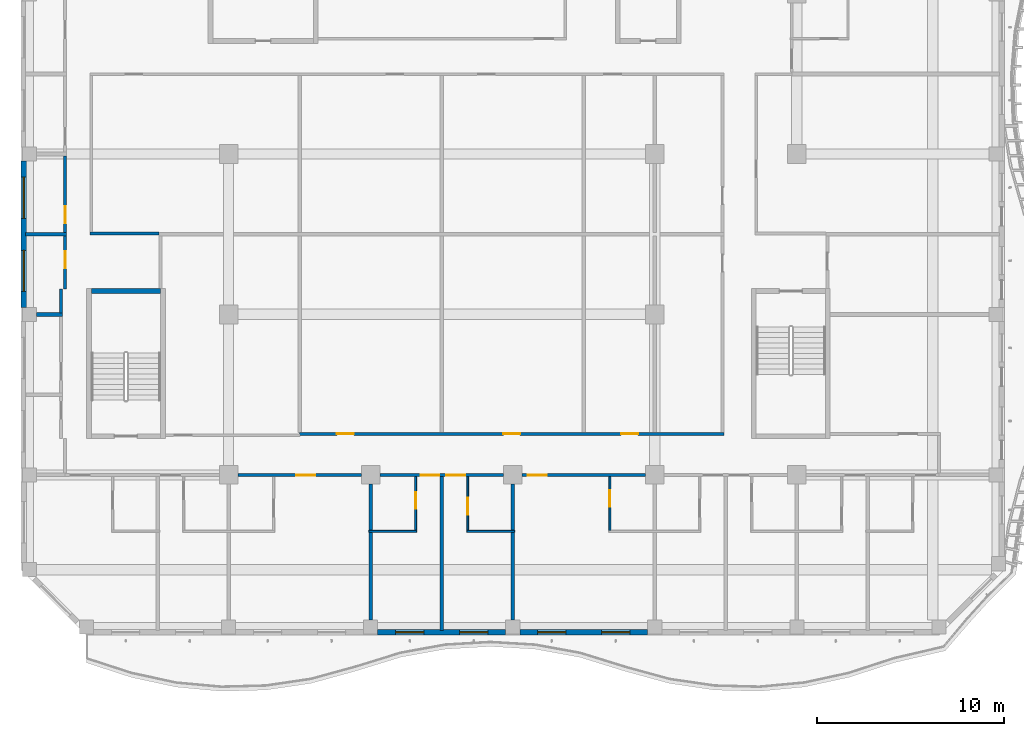
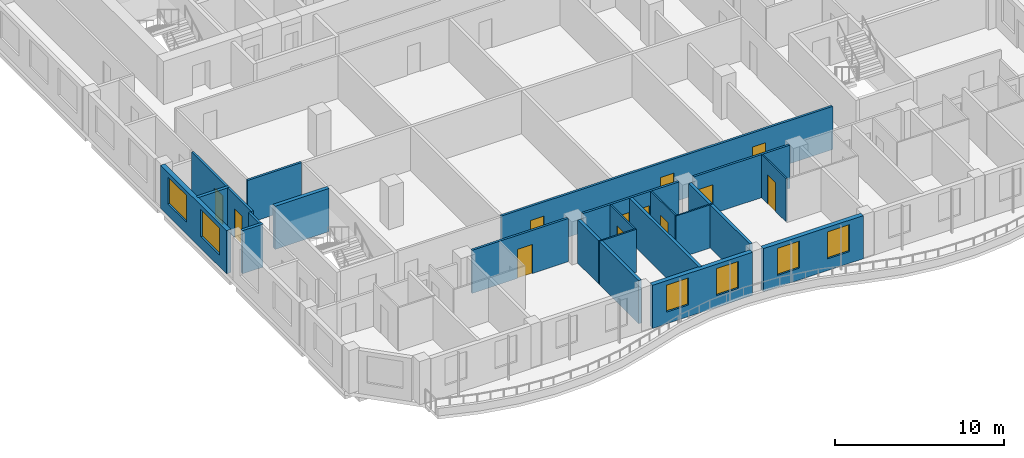
# One storey, part 3 of 22: 24 walls, 12 doors, 6 windows, 18 openings.
"""IFC4 building model written with IfcOpenShell, lengths in metres."""

from ifc_helpers import new_model, si_unit, direction, frame, frame_2d, origin, place, context, subcontext, project, spatial, rectangle, extrude, source, transform, mapped, material, layer, layer_set, type_object, element, fill, save


model = new_model("IFC4")

# Units and contexts
model_context = context("Model", 3, precision=1e-05, world=origin(), true_north=direction((0.0, 1.0)))
body_context = subcontext(model_context, "Body", "Model", "MODEL_VIEW")
ifc_project = project(units=[si_unit("LENGTHUNIT", "METRE"), si_unit("AREAUNIT", "SQUARE_METRE"), si_unit("VOLUMEUNIT", "CUBIC_METRE"), si_unit("PLANEANGLEUNIT", "RADIAN"), si_unit("MASSUNIT", "GRAM", prefix="KILO")], contexts=[model_context])

# Site, building, storey
site_placement = place(None, origin())
site = spatial("IfcSite", under=ifc_project, at=site_placement, CompositionType="ELEMENT")
building_placement = place(site_placement, origin())
building = spatial("IfcBuilding", under=site, at=building_placement, Name="Kilnfold Tower and Market Hall", CompositionType="ELEMENT")
storey_placement = place(building_placement, frame((0.0, 0.0, 213.5)))
storey = spatial("IfcBuildingStorey", under=building, at=storey_placement, Name="L52", CompositionType="ELEMENT", Elevation=213.5)

# Wall, opening, door
ifc_material_1 = material(Name="Gypsum board on steel studs", Category="steel")
ifc_layer_1 = layer(ifc_material_1, 0.14990234375)
ifc_layer_set_1 = layer_set([ifc_layer_1], Name="Gypsum board on steel studs")
wall_type_1 = type_object("IfcWallType", Name="WALL CORRIDOR 150", PredefinedType="PARTITIONING", material=ifc_layer_set_1)
wall_1_placement = place(storey_placement, frame((-9.6669921875, -17.699951171875, 0.0), z_axis=(0.0, 0.0, 1.0), x_axis=(1.0, 0.0, 0.0)))
wall_1 = element("IfcWall", 1, at=wall_1_placement, inside=storey, type_object=wall_type_1, Name="Partition LY31.2", PredefinedType="PARTITIONING", context=body_context, shape_type="SweptSolid", body=[
    extrude(rectangle(XDim=6.583984375, YDim=0.14990234375, at=frame_2d((3.2919921875, 0.0))), origin(), (0.0, 0.0, 1.0), 3.1201171875),
])
opening_1_placement = place(wall_1_placement, frame((3.118896484375, 0.0, 0.0)))
opening_1 = element("IfcOpeningElement", 2, at=opening_1_placement, cuts=wall_1, Name="Opening D1", PredefinedType="OPENING", context=body_context, shape_type="SweptSolid", body=[
    extrude(rectangle(XDim=1.0, YDim=2.10009765625, at=frame_2d((0.5, 1.050048828125))), frame((0.0, 0.0849609375, 0.0), z_axis=(0.0, -1.0, 0.0), x_axis=(1.0, 0.0, 0.0)), (0.0, 0.0, 1.0), 0.169921875),
])
ifc_material_2 = material(Name="Timber veneer door leaf in steel frame", Category="steel")
door_type_1 = type_object("IfcDoorType", Name="DOOR ENTRY 1000 X2100", OperationType="NOTDEFINED", PredefinedType="DOOR", material=ifc_material_2)
door_1_placement = place(opening_1_placement, origin())
door_1 = element("IfcDoor", 3, at=door_1_placement, inside=storey, type_object=door_type_1, Name="Door D1", OperationType="SINGLE_SWING_LEFT", OverallHeight=2.10009765625, OverallWidth=1.0, PredefinedType="DOOR", context=body_context, shape_type="SweptSolid", body=[
    extrude(rectangle(XDim=1.0, YDim=2.10009765625, at=frame_2d((0.5, 1.050048828125))), frame((0.0, 0.02490234375, 0.0), z_axis=(0.0, -1.0, 0.0), x_axis=(1.0, 0.0, 0.0)), (0.0, 0.0, 1.0), 0.050048828125),
])
fill(opening_1, door_1)

# Wall, openings, doors
wall_2_placement = place(storey_placement, frame((-2.0830078125, -17.699951171875, 0.0), z_axis=(0.0, 0.0, 1.0), x_axis=(1.0, 0.0, 0.0)))
wall_2 = element("IfcWall", 4, at=wall_2_placement, inside=storey, type_object=wall_type_1, Name="Partition LY31.3", PredefinedType="PARTITIONING", context=body_context, shape_type="SweptSolid", body=[
    extrude(rectangle(XDim=6.5830078125, YDim=0.14990234375, at=frame_2d((3.29150390625, 0.0))), origin(), (0.0, 0.0, 1.0), 3.1201171875),
])
opening_2_placement = place(wall_2_placement, frame((2.1708984375, 0.0, 0.0)))
opening_2 = element("IfcOpeningElement", 5, at=opening_2_placement, cuts=wall_2, Name="Opening D1", PredefinedType="OPENING", context=body_context, shape_type="SweptSolid", body=[
    extrude(rectangle(XDim=1.0, YDim=2.10009765625, at=frame_2d((0.5, 1.050048828125))), frame((0.0, 0.0849609375, 0.0), z_axis=(0.0, -1.0, 0.0), x_axis=(1.0, 0.0, 0.0)), (0.0, 0.0, 1.0), 0.169921875),
])
opening_3_placement = place(wall_2_placement, frame((3.54296875, 0.0, 0.0)))
opening_3 = element("IfcOpeningElement", 6, at=opening_3_placement, cuts=wall_2, Name="Opening D1", PredefinedType="OPENING", context=body_context, shape_type="SweptSolid", body=[
    extrude(rectangle(XDim=1.0, YDim=2.10009765625, at=frame_2d((0.5, 1.050048828125))), frame((0.0, 0.0849609375, 0.0), z_axis=(0.0, -1.0, 0.0), x_axis=(1.0, 0.0, 0.0)), (0.0, 0.0, 1.0), 0.169921875),
])
door_2_placement = place(opening_2_placement, origin())
door_2 = element("IfcDoor", 7, at=door_2_placement, inside=storey, type_object=door_type_1, Name="Door D1", OperationType="SINGLE_SWING_RIGHT", OverallHeight=2.10009765625, OverallWidth=1.0, PredefinedType="DOOR", context=body_context, shape_type="SweptSolid", body=[
    extrude(rectangle(XDim=1.0, YDim=2.10009765625, at=frame_2d((0.5, 1.050048828125))), frame((0.0, 0.02490234375, 0.0), z_axis=(0.0, -1.0, 0.0), x_axis=(1.0, 0.0, 0.0)), (0.0, 0.0, 1.0), 0.050048828125),
])
fill(opening_2, door_2)
door_3_placement = place(opening_3_placement, origin())
door_3 = element("IfcDoor", 8, at=door_3_placement, inside=storey, type_object=door_type_1, Name="Door D1", OperationType="SINGLE_SWING_RIGHT", OverallHeight=2.10009765625, OverallWidth=1.0, PredefinedType="DOOR", context=body_context, shape_type="SweptSolid", body=[
    extrude(rectangle(XDim=1.0, YDim=2.10009765625, at=frame_2d((0.5, 1.050048828125))), frame((0.0, 0.02490234375, 0.0), z_axis=(0.0, -1.0, 0.0), x_axis=(1.0, 0.0, 0.0)), (0.0, 0.0, 1.0), 0.050048828125),
])
fill(opening_3, door_3)

# Wall, opening, door
wall_3_placement = place(storey_placement, frame((5.5, -17.699951171875, 0.0), z_axis=(0.0, 0.0, 1.0), x_axis=(1.0, 0.0, 0.0)))
wall_3 = element("IfcWall", 9, at=wall_3_placement, inside=storey, type_object=wall_type_1, Name="Partition LY31.4", PredefinedType="PARTITIONING", context=body_context, shape_type="SweptSolid", body=[
    extrude(rectangle(XDim=6.5830078125, YDim=0.14990234375, at=frame_2d((3.29150390625, 0.0))), origin(), (0.0, 0.0, 1.0), 3.1201171875),
])
opening_4_placement = place(wall_3_placement, frame((0.302978515625, 0.0, 0.0)))
opening_4 = element("IfcOpeningElement", 10, at=opening_4_placement, cuts=wall_3, Name="Opening D1", PredefinedType="OPENING", context=body_context, shape_type="SweptSolid", body=[
    extrude(rectangle(XDim=1.0, YDim=2.10009765625, at=frame_2d((0.5, 1.050048828125))), frame((0.0, 0.0849609375, 0.0), z_axis=(0.0, -1.0, 0.0), x_axis=(1.0, 0.0, 0.0)), (0.0, 0.0, 1.0), 0.169921875),
])
door_4_placement = place(opening_4_placement, origin())
door_4 = element("IfcDoor", 11, at=door_4_placement, inside=storey, type_object=door_type_1, Name="Door D1", OperationType="SINGLE_SWING_RIGHT", OverallHeight=2.10009765625, OverallWidth=1.0, PredefinedType="DOOR", context=body_context, shape_type="SweptSolid", body=[
    extrude(rectangle(XDim=1.0, YDim=2.10009765625, at=frame_2d((0.5, 1.050048828125))), frame((0.0, 0.02490234375, 0.0), z_axis=(0.0, -1.0, 0.0), x_axis=(1.0, 0.0, 0.0)), (0.0, 0.0, 1.0), 0.050048828125),
])
fill(opening_4, door_4)

wall_4_placement = place(storey_placement, frame((-18.89990234375, -7.757080078125, 0.0), z_axis=(0.0, 0.0, 1.0), x_axis=(0.0, 1.0, 0.0)))
wall_4 = element("IfcWall", 12, at=wall_4_placement, inside=storey, type_object=wall_type_1, Name="Partition LY31.12", PredefinedType="PARTITIONING", context=body_context, shape_type="SweptSolid", body=[
    extrude(rectangle(XDim=2.823974609375, YDim=0.14990234375, at=frame_2d((1.412109375, 0.0))), origin(), (0.0, 0.0, 1.0), 3.1201171875),
])
opening_5_placement = place(wall_4_placement, frame((1.114013671875, 0.0, 0.0)))
opening_5 = element("IfcOpeningElement", 13, at=opening_5_placement, cuts=wall_4, Name="Opening D2", PredefinedType="OPENING", context=body_context, shape_type="SweptSolid", body=[
    extrude(rectangle(XDim=0.89990234375, YDim=2.10009765625, at=frame_2d((0.449951171875, 1.050048828125))), frame((0.0, 0.0849609375, 0.0), z_axis=(0.0, -1.0, 0.0), x_axis=(1.0, 0.0, 0.0)), (0.0, 0.0, 1.0), 0.169921875),
])
ifc_material_3 = material(Name="Timber veneer door leaf in steel frame", Category="steel")
door_type_2 = type_object("IfcDoorType", Name="DOOR ROOM 900 X2100", OperationType="NOTDEFINED", PredefinedType="DOOR", material=ifc_material_3)
door_5_placement = place(opening_5_placement, origin())
door_5 = element("IfcDoor", 14, at=door_5_placement, inside=storey, type_object=door_type_2, Name="Door D2", OperationType="SINGLE_SWING_LEFT", OverallHeight=2.10009765625, OverallWidth=0.89990234375, PredefinedType="DOOR", context=body_context, shape_type="SweptSolid", body=[
    extrude(rectangle(XDim=0.89990234375, YDim=2.10009765625, at=frame_2d((0.449951171875, 1.050048828125))), frame((0.0, 0.02490234375, 0.0), z_axis=(0.0, -1.0, 0.0), x_axis=(1.0, 0.0, 0.0)), (0.0, 0.0, 1.0), 0.050048828125),
])
fill(opening_5, door_5)

# Wall
wall_5_placement = place(storey_placement, frame((-19.113037109375, -9.034912109375, 0.0), z_axis=(0.0, 0.0, 1.0), x_axis=(0.0, 1.0, 0.0)))
element("IfcWall", 15, at=wall_5_placement, inside=storey, type_object=wall_type_1, Name="Partition LY31.13", PredefinedType="PARTITIONING", context=body_context, shape_type="SweptSolid", body=[
    extrude(rectangle(XDim=1.27783203125, YDim=0.14990234375, at=frame_2d((0.638916015625, 0.0))), origin(), (0.0, 0.0, 1.0), 3.1201171875),
])

# Wall, opening, door
wall_6_placement = place(storey_placement, frame((-18.89990234375, -4.7529296875, 0.0), z_axis=(0.0, 0.0, 1.0), x_axis=(0.0, 1.0, 0.0)))
wall_6 = element("IfcWall", 16, at=wall_6_placement, inside=storey, type_object=wall_type_1, Name="Partition LY31.14", PredefinedType="PARTITIONING", context=body_context, shape_type="SweptSolid", body=[
    extrude(rectangle(XDim=4.100830078125, YDim=0.14990234375, at=frame_2d((2.05029296875, 0.0))), origin(), (0.0, 0.0, 1.0), 3.1201171875),
])
opening_6_placement = place(wall_6_placement, frame((0.5, 0.0, 0.0)))
opening_6 = element("IfcOpeningElement", 17, at=opening_6_placement, cuts=wall_6, Name="Opening D2", PredefinedType="OPENING", context=body_context, shape_type="SweptSolid", body=[
    extrude(rectangle(XDim=0.89990234375, YDim=2.10009765625, at=frame_2d((0.449951171875, 1.050048828125))), frame((0.0, 0.0849609375, 0.0), z_axis=(0.0, -1.0, 0.0), x_axis=(1.0, 0.0, 0.0)), (0.0, 0.0, 1.0), 0.169921875),
])
door_6_placement = place(opening_6_placement, origin())
door_6 = element("IfcDoor", 18, at=door_6_placement, inside=storey, type_object=door_type_2, Name="Door D2", OperationType="SINGLE_SWING_RIGHT", OverallHeight=2.10009765625, OverallWidth=0.89990234375, PredefinedType="DOOR", context=body_context, shape_type="SweptSolid", body=[
    extrude(rectangle(XDim=0.89990234375, YDim=2.10009765625, at=frame_2d((0.449951171875, 1.050048828125))), frame((0.0, 0.02490234375, 0.0), z_axis=(0.0, -1.0, 0.0), x_axis=(1.0, 0.0, 0.0)), (0.0, 0.0, 1.0), 0.050048828125),
])
fill(opening_6, door_6)

# Wall
wall_7_placement = place(storey_placement, frame((-17.574951171875, -4.800048828125, 0.0), z_axis=(0.0, 0.0, 1.0), x_axis=(1.0, 0.0, 0.0)))
element("IfcWall", 19, at=wall_7_placement, inside=storey, type_object=wall_type_1, Name="Partition LY31.34", PredefinedType="PARTITIONING", context=body_context, shape_type="SweptSolid", body=[
    extrude(rectangle(XDim=3.701904296875, YDim=0.14990234375, at=frame_2d((1.85107421875, 0.0))), origin(), (0.0, 0.0, 1.0), 3.1201171875),
])

# Wall, openings, doors
wall_8_placement = place(storey_placement, frame((-6.385009765625, -15.5, 0.0), z_axis=(0.0, 0.0, 1.0), x_axis=(1.0, 0.0, 0.0)))
wall_8 = element("IfcWall", 20, at=wall_8_placement, inside=storey, type_object=wall_type_1, Name="Partition LY31.40", PredefinedType="PARTITIONING", context=body_context, shape_type="SweptSolid", body=[
    extrude(rectangle(XDim=22.659912109375, YDim=0.14990234375, at=frame_2d((11.330078125, 0.0))), origin(), (0.0, 0.0, 1.0), 3.1201171875),
])
opening_7_placement = place(wall_8_placement, frame((2.0009765625, 0.0, 0.0)))
opening_7 = element("IfcOpeningElement", 21, at=opening_7_placement, cuts=wall_8, Name="Opening D2", PredefinedType="OPENING", context=body_context, shape_type="SweptSolid", body=[
    extrude(rectangle(XDim=0.89990234375, YDim=2.10009765625, at=frame_2d((0.449951171875, 1.050048828125))), frame((0.0, 0.0849609375, 0.0), z_axis=(0.0, -1.0, 0.0), x_axis=(1.0, 0.0, 0.0)), (0.0, 0.0, 1.0), 0.169921875),
])
opening_8_placement = place(wall_8_placement, frame((10.884033203125, 0.0, 0.0)))
opening_8 = element("IfcOpeningElement", 22, at=opening_8_placement, cuts=wall_8, Name="Opening D2", PredefinedType="OPENING", context=body_context, shape_type="SweptSolid", body=[
    extrude(rectangle(XDim=0.89990234375, YDim=2.10009765625, at=frame_2d((0.449951171875, 1.050048828125))), frame((0.0, 0.0849609375, 0.0), z_axis=(0.0, -1.0, 0.0), x_axis=(1.0, 0.0, 0.0)), (0.0, 0.0, 1.0), 0.169921875),
])
opening_9_placement = place(wall_8_placement, frame((17.175048828125, 0.0, 0.0)))
opening_9 = element("IfcOpeningElement", 23, at=opening_9_placement, cuts=wall_8, Name="Opening D2", PredefinedType="OPENING", context=body_context, shape_type="SweptSolid", body=[
    extrude(rectangle(XDim=0.89990234375, YDim=2.10009765625, at=frame_2d((0.449951171875, 1.050048828125))), frame((0.0, 0.0849609375, 0.0), z_axis=(0.0, -1.0, 0.0), x_axis=(1.0, 0.0, 0.0)), (0.0, 0.0, 1.0), 0.169921875),
])
door_7_placement = place(opening_7_placement, origin())
door_7 = element("IfcDoor", 24, at=door_7_placement, inside=storey, type_object=door_type_2, Name="Door D2", OperationType="SINGLE_SWING_RIGHT", OverallHeight=2.10009765625, OverallWidth=0.89990234375, PredefinedType="DOOR", context=body_context, shape_type="SweptSolid", body=[
    extrude(rectangle(XDim=0.89990234375, YDim=2.10009765625, at=frame_2d((0.449951171875, 1.050048828125))), frame((0.0, 0.02490234375, 0.0), z_axis=(0.0, -1.0, 0.0), x_axis=(1.0, 0.0, 0.0)), (0.0, 0.0, 1.0), 0.050048828125),
])
fill(opening_7, door_7)
door_8_placement = place(opening_8_placement, origin())
door_8 = element("IfcDoor", 25, at=door_8_placement, inside=storey, type_object=door_type_2, Name="Door D2", OperationType="SINGLE_SWING_LEFT", OverallHeight=2.10009765625, OverallWidth=0.89990234375, PredefinedType="DOOR", context=body_context, shape_type="SweptSolid", body=[
    extrude(rectangle(XDim=0.89990234375, YDim=2.10009765625, at=frame_2d((0.449951171875, 1.050048828125))), frame((0.0, 0.02490234375, 0.0), z_axis=(0.0, -1.0, 0.0), x_axis=(1.0, 0.0, 0.0)), (0.0, 0.0, 1.0), 0.050048828125),
])
fill(opening_8, door_8)
door_9_placement = place(opening_9_placement, origin())
door_9 = element("IfcDoor", 26, at=door_9_placement, inside=storey, type_object=door_type_2, Name="Door D2", OperationType="SINGLE_SWING_RIGHT", OverallHeight=2.10009765625, OverallWidth=0.89990234375, PredefinedType="DOOR", context=body_context, shape_type="SweptSolid", body=[
    extrude(rectangle(XDim=0.89990234375, YDim=2.10009765625, at=frame_2d((0.449951171875, 1.050048828125))), frame((0.0, 0.02490234375, 0.0), z_axis=(0.0, -1.0, 0.0), x_axis=(1.0, 0.0, 0.0)), (0.0, 0.0, 1.0), 0.050048828125),
])
fill(opening_9, door_9)

# Wall, opening, door
ifc_material_4 = material(Name="Gypsum board on steel studs", Category="steel")
ifc_layer_2 = layer(ifc_material_4, 0.10009765625)
ifc_layer_set_2 = layer_set([ifc_layer_2], Name="Gypsum board on steel studs")
wall_type_2 = type_object("IfcWallType", Name="WALL PARTITION 100", PredefinedType="PARTITIONING", material=ifc_layer_set_2)
wall_9_placement = place(storey_placement, frame((-0.18310546875, -17.777099609375, 0.0), z_axis=(0.0, 0.0, 1.0), x_axis=(0.0, -1.0, 0.0)))
wall_9 = element("IfcWall", 27, at=wall_9_placement, inside=storey, type_object=wall_type_2, Name="Partition LY31.54", PredefinedType="PARTITIONING", context=body_context, shape_type="SweptSolid", body=[
    extrude(rectangle(XDim=2.875, YDim=0.10009765625, at=frame_2d((1.4375, 0.0))), origin(), (0.0, 0.0, 1.0), 3.1201171875),
])
opening_10_placement = place(wall_9_placement, frame((0.830078125, 0.0, 0.0)))
opening_10 = element("IfcOpeningElement", 28, at=opening_10_placement, cuts=wall_9, Name="Opening D3", PredefinedType="OPENING", context=body_context, shape_type="SweptSolid", body=[
    extrude(rectangle(XDim=0.89990234375, YDim=2.10009765625, at=frame_2d((0.449951171875, 1.050048828125))), frame((0.0, 0.06005859375, 0.0), z_axis=(0.0, -1.0, 0.0), x_axis=(1.0, 0.0, 0.0)), (0.0, 0.0, 1.0), 0.1201171875),
])
ifc_material_5 = material(Name="Timber veneer door leaf in steel frame", Category="steel")
door_type_3 = type_object("IfcDoorType", Name="DOOR WC 900 X2100", OperationType="NOTDEFINED", PredefinedType="DOOR", material=ifc_material_5)
door_10_placement = place(opening_10_placement, origin())
door_10 = element("IfcDoor", 29, at=door_10_placement, inside=storey, type_object=door_type_3, Name="Door D3", OperationType="SINGLE_SWING_LEFT", OverallHeight=2.10009765625, OverallWidth=0.89990234375, PredefinedType="DOOR", context=body_context, shape_type="SweptSolid", body=[
    extrude(rectangle(XDim=0.89990234375, YDim=2.10009765625, at=frame_2d((0.449951171875, 1.050048828125))), frame((0.0, 0.02490234375, 0.0), z_axis=(0.0, -1.0, 0.0), x_axis=(1.0, 0.0, 0.0)), (0.0, 0.0, 1.0), 0.050048828125),
])
fill(opening_10, door_10)

# Wall
wall_10_placement = place(storey_placement, frame((-2.68310546875, -20.701904296875, 0.0), z_axis=(0.0, 0.0, 1.0), x_axis=(1.0, 0.0, 0.0)))
element("IfcWall", 30, at=wall_10_placement, inside=storey, type_object=wall_type_2, Name="Partition LY31.55", PredefinedType="PARTITIONING", context=body_context, shape_type="SweptSolid", body=[
    extrude(rectangle(XDim=2.550048828125, YDim=0.10009765625, at=frame_2d((1.27490234375, 0.0))), origin(), (0.0, 0.0, 1.0), 3.1201171875),
])

# Wall, opening, door
wall_11_placement = place(storey_placement, frame((2.60009765625, -20.652099609375, 0.0), z_axis=(0.0, 0.0, 1.0), x_axis=(0.0, 1.0, 0.0)))
wall_11 = element("IfcWall", 31, at=wall_11_placement, inside=storey, type_object=wall_type_2, Name="Partition LY31.57", PredefinedType="PARTITIONING", context=body_context, shape_type="SweptSolid", body=[
    extrude(rectangle(XDim=2.875, YDim=0.10009765625, at=frame_2d((1.4375, 0.0))), origin(), (0.0, 0.0, 1.0), 3.1201171875),
])
opening_11_placement = place(wall_11_placement, frame((0.830078125, 0.0, 0.0)))
opening_11 = element("IfcOpeningElement", 32, at=opening_11_placement, cuts=wall_11, Name="Opening D3", PredefinedType="OPENING", context=body_context, shape_type="SweptSolid", body=[
    extrude(rectangle(XDim=0.89990234375, YDim=2.10009765625, at=frame_2d((0.449951171875, 1.050048828125))), frame((0.0, 0.06005859375, 0.0), z_axis=(0.0, -1.0, 0.0), x_axis=(1.0, 0.0, 0.0)), (0.0, 0.0, 1.0), 0.1201171875),
])
door_11_placement = place(opening_11_placement, origin())
door_11 = element("IfcDoor", 33, at=door_11_placement, inside=storey, type_object=door_type_3, Name="Door D3", OperationType="SINGLE_SWING_LEFT", OverallHeight=2.10009765625, OverallWidth=0.89990234375, PredefinedType="DOOR", context=body_context, shape_type="SweptSolid", body=[
    extrude(rectangle(XDim=0.89990234375, YDim=2.10009765625, at=frame_2d((0.449951171875, 1.050048828125))), frame((0.0, 0.02490234375, 0.0), z_axis=(0.0, -1.0, 0.0), x_axis=(1.0, 0.0, 0.0)), (0.0, 0.0, 1.0), 0.050048828125),
])
fill(opening_11, door_11)

# Wall
wall_12_placement = place(storey_placement, frame((2.550048828125, -20.701904296875, 0.0), z_axis=(0.0, 0.0, 1.0), x_axis=(1.0, 0.0, 0.0)))
element("IfcWall", 34, at=wall_12_placement, inside=storey, type_object=wall_type_2, Name="Partition LY31.58", PredefinedType="PARTITIONING", context=body_context, shape_type="SweptSolid", body=[
    extrude(rectangle(XDim=2.550048828125, YDim=0.10009765625, at=frame_2d((1.27490234375, 0.0))), origin(), (0.0, 0.0, 1.0), 3.1201171875),
])

# Wall, opening, door
wall_13_placement = place(storey_placement, frame((10.18310546875, -20.652099609375, 0.0), z_axis=(0.0, 0.0, 1.0), x_axis=(0.0, 1.0, 0.0)))
wall_13 = element("IfcWall", 35, at=wall_13_placement, inside=storey, type_object=wall_type_2, Name="Partition LY31.61", PredefinedType="PARTITIONING", context=body_context, shape_type="SweptSolid", body=[
    extrude(rectangle(XDim=2.875, YDim=0.10009765625, at=frame_2d((1.4375, 0.0))), origin(), (0.0, 0.0, 1.0), 3.1201171875),
])
opening_12_placement = place(wall_13_placement, frame((1.25, 0.0, 0.0)))
opening_12 = element("IfcOpeningElement", 36, at=opening_12_placement, cuts=wall_13, Name="Opening D3", PredefinedType="OPENING", context=body_context, shape_type="SweptSolid", body=[
    extrude(rectangle(XDim=0.89990234375, YDim=2.10009765625, at=frame_2d((0.449951171875, 1.050048828125))), frame((0.0, 0.06005859375, 0.0), z_axis=(0.0, -1.0, 0.0), x_axis=(1.0, 0.0, 0.0)), (0.0, 0.0, 1.0), 0.1201171875),
])
door_12_placement = place(opening_12_placement, origin())
door_12 = element("IfcDoor", 37, at=door_12_placement, inside=storey, type_object=door_type_3, Name="Door D3", OperationType="SINGLE_SWING_LEFT", OverallHeight=2.10009765625, OverallWidth=0.89990234375, PredefinedType="DOOR", context=body_context, shape_type="SweptSolid", body=[
    extrude(rectangle(XDim=0.89990234375, YDim=2.10009765625, at=frame_2d((0.449951171875, 1.050048828125))), frame((0.0, 0.02490234375, 0.0), z_axis=(0.0, -1.0, 0.0), x_axis=(1.0, 0.0, 0.0)), (0.0, 0.0, 1.0), 0.050048828125),
])
fill(opening_12, door_12)

# Walls
ifc_material_6 = material(Name="Gypsum board on steel studs", Category="steel")
ifc_layer_3 = layer(ifc_material_6, 0.199951171875)
ifc_layer_set_3 = layer_set([ifc_layer_3], Name="Gypsum board on steel studs")
wall_type_3 = type_object("IfcWallType", Name="WALL PARTY 200", PredefinedType="PARTITIONING", material=ifc_layer_set_3)
wall_14_placement = place(storey_placement, frame((-2.5830078125, -25.425048828125, 0.0), z_axis=(0.0, 0.0, 1.0), x_axis=(0.0, 1.0, 0.0)))
element("IfcWall", 38, at=wall_14_placement, inside=storey, type_object=wall_type_3, Name="Partition LY31.52", PredefinedType="PARTITIONING", context=body_context, shape_type="SweptSolid", body=[
    extrude(rectangle(XDim=4.68310546875, YDim=0.199951171875, at=frame_2d((2.341552734375, 0.0))), origin(), (0.0, 0.0, 1.0), 3.1201171875),
])
wall_15_placement = place(storey_placement, frame((-2.5830078125, -20.662109375, 0.0), z_axis=(0.0, 0.0, 1.0), x_axis=(0.0, 1.0, 0.0)))
element("IfcWall", 39, at=wall_15_placement, inside=storey, type_object=wall_type_3, Name="Partition LY31.53", PredefinedType="PARTITIONING", context=body_context, shape_type="SweptSolid", body=[
    extrude(rectangle(XDim=2.47412109375, YDim=0.199951171875, at=frame_2d((1.237060546875, 0.0))), origin(), (0.0, 0.0, 1.0), 3.1201171875),
])
wall_16_placement = place(storey_placement, frame((1.2080078125, -26.0, 0.0), z_axis=(0.0, 0.0, 1.0), x_axis=(0.0, 1.0, 0.0)))
element("IfcWall", 40, at=wall_16_placement, inside=storey, type_object=wall_type_3, Name="Partition LY31.56", PredefinedType="PARTITIONING", context=body_context, shape_type="SweptSolid", body=[
    extrude(rectangle(XDim=8.222900390625, YDim=0.199951171875, at=frame_2d((4.111328125, 0.0))), origin(), (0.0, 0.0, 1.0), 3.1201171875),
])
wall_17_placement = place(storey_placement, frame((5.0, -25.425048828125, 0.0), z_axis=(0.0, 0.0, 1.0), x_axis=(0.0, 1.0, 0.0)))
element("IfcWall", 41, at=wall_17_placement, inside=storey, type_object=wall_type_3, Name="Partition LY31.59", PredefinedType="PARTITIONING", context=body_context, shape_type="SweptSolid", body=[
    extrude(rectangle(XDim=4.673095703125, YDim=0.199951171875, at=frame_2d((2.33642578125, 0.0))), origin(), (0.0, 0.0, 1.0), 3.1201171875),
])
wall_18_placement = place(storey_placement, frame((5.0, -20.652099609375, 0.0), z_axis=(0.0, 0.0, 1.0), x_axis=(0.0, 1.0, 0.0)))
element("IfcWall", 42, at=wall_18_placement, inside=storey, type_object=wall_type_3, Name="Partition LY31.60", PredefinedType="PARTITIONING", context=body_context, shape_type="SweptSolid", body=[
    extrude(rectangle(XDim=2.464111328125, YDim=0.199951171875, at=frame_2d((1.23193359375, 0.0))), origin(), (0.0, 0.0, 1.0), 3.1201171875),
])
wall_19_placement = place(storey_placement, frame((-20.425048828125, -9.125, 0.0), z_axis=(0.0, 0.0, 1.0), x_axis=(1.0, 0.0, 0.0)))
element("IfcWall", 43, at=wall_19_placement, inside=storey, type_object=wall_type_3, Name="Partition LY31.80", PredefinedType="PARTITIONING", context=body_context, shape_type="SweptSolid", body=[
    extrude(rectangle(XDim=1.39794921875, YDim=0.199951171875, at=frame_2d((0.698974609375, 0.0))), origin(), (0.0, 0.0, 1.0), 3.1201171875),
])
wall_20_placement = place(storey_placement, frame((-21.0, -4.843017578125, 0.0), z_axis=(0.0, 0.0, 1.0), x_axis=(1.0, 0.0, 0.0)))
element("IfcWall", 44, at=wall_20_placement, inside=storey, type_object=wall_type_3, Name="Partition LY31.81", PredefinedType="PARTITIONING", context=body_context, shape_type="SweptSolid", body=[
    extrude(rectangle(XDim=2.173095703125, YDim=0.199951171875, at=frame_2d((1.08642578125, 0.0))), origin(), (0.0, 0.0, 1.0), 3.1201171875),
])
ifc_material_7 = material(Name="Concrete C60", Category="concrete")
ifc_layer_4 = layer(ifc_material_7, 0.25)
ifc_layer_set_4 = layer_set([ifc_layer_4], Name="Concrete C60")
wall_type_4 = type_object("IfcWallType", Name="CORE WALL 250 C60", PredefinedType="SHEAR", material=ifc_layer_set_4)
shared_shape_1 = source(origin(), body_context, "Body", "SweptSolid", [
    extrude(rectangle(XDim=3.699951171875, YDim=0.25, at=frame_2d((1.85009765625, 0.0))), origin(), (0.0, 0.0, 1.0), 3.1201171875),
])
wall_21_placement = place(storey_placement, frame((-17.5, -7.875, 0.0), z_axis=(0.0, 0.0, 1.0), x_axis=(1.0, 0.0, 0.0)))
element("IfcWall", 45, at=wall_21_placement, inside=storey, type_object=wall_type_4, Name="Stair enclosure ST3", PredefinedType="SHEAR", context=body_context, shape_type="MappedRepresentation", body=[
    mapped(shared_shape_1, transform((0.0, 0.0, 0.0))),
])

# Wall, openings, windows
ifc_material_8 = material(Name="Precast concrete C50/60", Category="concrete")
ifc_layer_5 = layer(ifc_material_8, 0.300048828125)
ifc_layer_set_5 = layer_set([ifc_layer_5], Name="Precast concrete C50/60")
wall_type_5 = type_object("IfcWallType", Name="PRECAST WALL 300", PredefinedType="SOLIDWALL", material=ifc_layer_set_5)
shared_shape_2 = source(origin(), body_context, "Body", "SweptSolid", [
    extrude(rectangle(XDim=6.833251953125, YDim=0.300048828125, at=frame_2d((3.41650390625, 0.0))), origin(), (0.0, 0.0, 1.0), 3.1201171875),
])
wall_22_placement = place(storey_placement, frame((-2.208251953125, -26.10009765625, 0.0), z_axis=(0.0, 0.0, 1.0), x_axis=(1.0, 0.0, 0.0)))
wall_22 = element("IfcWall", 46, at=wall_22_placement, inside=storey, type_object=wall_type_5, Name="External wall L52 S", PredefinedType="SOLIDWALL", context=body_context, shape_type="MappedRepresentation", body=[
    mapped(shared_shape_2, transform((0.0, 0.0, 0.0))),
])
opening_13_placement = place(wall_22_placement, frame((0.958251953125, 0.0, 0.85009765625)))
opening_13 = element("IfcOpeningElement", 47, at=opening_13_placement, cuts=wall_22, Name="Opening W4", PredefinedType="OPENING", context=body_context, shape_type="SweptSolid", body=[
    extrude(rectangle(XDim=1.5, YDim=1.949951171875, at=frame_2d((0.75, 0.97509765625))), frame((0.0, 0.16015625, 0.0), z_axis=(0.0, -1.0, 0.0), x_axis=(1.0, 0.0, 0.0)), (0.0, 0.0, 1.0), 0.320068359375),
])
opening_14_placement = place(wall_22_placement, frame((4.375, 0.0, 0.85009765625)))
opening_14 = element("IfcOpeningElement", 48, at=opening_14_placement, cuts=wall_22, Name="Opening W4", PredefinedType="OPENING", context=body_context, shape_type="SweptSolid", body=[
    extrude(rectangle(XDim=1.5, YDim=1.949951171875, at=frame_2d((0.75, 0.97509765625))), frame((0.0, 0.16015625, 0.0), z_axis=(0.0, -1.0, 0.0), x_axis=(1.0, 0.0, 0.0)), (0.0, 0.0, 1.0), 0.320068359375),
])
ifc_material_9 = material(Name="Aluminium frame and double glazing", Category="aluminium")
window_type_1 = type_object("IfcWindowType", Name="WINDOW W4 1500X1950", PartitioningType="SINGLE_PANEL", PredefinedType="WINDOW", material=ifc_material_9)
window_1_placement = place(opening_13_placement, origin())
window_1 = element("IfcWindow", 49, at=window_1_placement, inside=storey, type_object=window_type_1, Name="Window W4 L52 S-1", OverallHeight=1.949951171875, OverallWidth=1.5, PartitioningType="SINGLE_PANEL", PredefinedType="WINDOW", context=body_context, shape_type="SweptSolid", body=[
    extrude(rectangle(XDim=1.5, YDim=1.949951171875, at=frame_2d((0.75, 0.97509765625))), frame((0.0, 0.030029296875, 0.0), z_axis=(0.0, -1.0, 0.0), x_axis=(1.0, 0.0, 0.0)), (0.0, 0.0, 1.0), 0.06005859375),
])
fill(opening_13, window_1)
window_2_placement = place(opening_14_placement, origin())
window_2 = element("IfcWindow", 50, at=window_2_placement, inside=storey, type_object=window_type_1, Name="Window W4 L52 S-2", OverallHeight=1.949951171875, OverallWidth=1.5, PartitioningType="SINGLE_PANEL", PredefinedType="WINDOW", context=body_context, shape_type="SweptSolid", body=[
    extrude(rectangle(XDim=1.5, YDim=1.949951171875, at=frame_2d((0.75, 0.97509765625))), frame((0.0, 0.030029296875, 0.0), z_axis=(0.0, -1.0, 0.0), x_axis=(1.0, 0.0, 0.0)), (0.0, 0.0, 1.0), 0.06005859375),
])
fill(opening_14, window_2)

wall_23_placement = place(storey_placement, frame((5.375, -26.10009765625, 0.0), z_axis=(0.0, 0.0, 1.0), x_axis=(1.0, 0.0, 0.0)))
wall_23 = element("IfcWall", 51, at=wall_23_placement, inside=storey, type_object=wall_type_5, Name="External wall L52 S", PredefinedType="SOLIDWALL", context=body_context, shape_type="MappedRepresentation", body=[
    mapped(shared_shape_2, transform((0.0, 0.0, 0.0))),
])
opening_15_placement = place(wall_23_placement, frame((0.958251953125, 0.0, 0.85009765625)))
opening_15 = element("IfcOpeningElement", 52, at=opening_15_placement, cuts=wall_23, Name="Opening W4", PredefinedType="OPENING", context=body_context, shape_type="SweptSolid", body=[
    extrude(rectangle(XDim=1.5, YDim=1.949951171875, at=frame_2d((0.75, 0.97509765625))), frame((0.0, 0.16015625, 0.0), z_axis=(0.0, -1.0, 0.0), x_axis=(1.0, 0.0, 0.0)), (0.0, 0.0, 1.0), 0.320068359375),
])
opening_16_placement = place(wall_23_placement, frame((4.375, 0.0, 0.85009765625)))
opening_16 = element("IfcOpeningElement", 53, at=opening_16_placement, cuts=wall_23, Name="Opening W4", PredefinedType="OPENING", context=body_context, shape_type="SweptSolid", body=[
    extrude(rectangle(XDim=1.5, YDim=1.949951171875, at=frame_2d((0.75, 0.97509765625))), frame((0.0, 0.16015625, 0.0), z_axis=(0.0, -1.0, 0.0), x_axis=(1.0, 0.0, 0.0)), (0.0, 0.0, 1.0), 0.320068359375),
])
window_3_placement = place(opening_15_placement, origin())
window_3 = element("IfcWindow", 54, at=window_3_placement, inside=storey, type_object=window_type_1, Name="Window W4 L52 S-1", OverallHeight=1.949951171875, OverallWidth=1.5, PartitioningType="SINGLE_PANEL", PredefinedType="WINDOW", context=body_context, shape_type="SweptSolid", body=[
    extrude(rectangle(XDim=1.5, YDim=1.949951171875, at=frame_2d((0.75, 0.97509765625))), frame((0.0, 0.030029296875, 0.0), z_axis=(0.0, -1.0, 0.0), x_axis=(1.0, 0.0, 0.0)), (0.0, 0.0, 1.0), 0.06005859375),
])
fill(opening_15, window_3)
window_4_placement = place(opening_16_placement, origin())
window_4 = element("IfcWindow", 55, at=window_4_placement, inside=storey, type_object=window_type_1, Name="Window W4 L52 S-2", OverallHeight=1.949951171875, OverallWidth=1.5, PartitioningType="SINGLE_PANEL", PredefinedType="WINDOW", context=body_context, shape_type="SweptSolid", body=[
    extrude(rectangle(XDim=1.5, YDim=1.949951171875, at=frame_2d((0.75, 0.97509765625))), frame((0.0, 0.030029296875, 0.0), z_axis=(0.0, -1.0, 0.0), x_axis=(1.0, 0.0, 0.0)), (0.0, 0.0, 1.0), 0.06005859375),
])
fill(opening_16, window_4)

shared_shape_3 = source(origin(), body_context, "Body", "SweptSolid", [
    extrude(rectangle(XDim=7.8125, YDim=0.300048828125, at=frame_2d((3.90625, 0.0))), origin(), (0.0, 0.0, 1.0), 3.1201171875),
])
wall_24_placement = place(storey_placement, frame((-21.10009765625, -0.9375, 0.0), z_axis=(0.0, 0.0, 1.0), x_axis=(0.0, -1.0, 0.0)))
wall_24 = element("IfcWall", 56, at=wall_24_placement, inside=storey, type_object=wall_type_5, Name="External wall L52 W", PredefinedType="SOLIDWALL", context=body_context, shape_type="MappedRepresentation", body=[
    mapped(shared_shape_3, transform((0.0, 0.0, 0.0))),
])
opening_17_placement = place(wall_24_placement, frame((0.853271484375, 0.0, 0.85009765625)))
opening_17 = element("IfcOpeningElement", 57, at=opening_17_placement, cuts=wall_24, Name="Opening W2", PredefinedType="OPENING", context=body_context, shape_type="SweptSolid", body=[
    extrude(rectangle(XDim=2.199951171875, YDim=1.949951171875, at=frame_2d((1.10009765625, 0.97509765625))), frame((0.0, 0.16015625, 0.0), z_axis=(0.0, -1.0, 0.0), x_axis=(1.0, 0.0, 0.0)), (0.0, 0.0, 1.0), 0.320068359375),
])
opening_18_placement = place(wall_24_placement, frame((4.759521484375, 0.0, 0.85009765625)))
opening_18 = element("IfcOpeningElement", 58, at=opening_18_placement, cuts=wall_24, Name="Opening W2", PredefinedType="OPENING", context=body_context, shape_type="SweptSolid", body=[
    extrude(rectangle(XDim=2.199951171875, YDim=1.949951171875, at=frame_2d((1.10009765625, 0.97509765625))), frame((0.0, 0.16015625, 0.0), z_axis=(0.0, -1.0, 0.0), x_axis=(1.0, 0.0, 0.0)), (0.0, 0.0, 1.0), 0.320068359375),
])
ifc_material_10 = material(Name="Aluminium frame and double glazing", Category="aluminium")
window_type_2 = type_object("IfcWindowType", Name="WINDOW W2 2200X1950", PartitioningType="SINGLE_PANEL", PredefinedType="WINDOW", material=ifc_material_10)
window_5_placement = place(opening_17_placement, origin())
window_5 = element("IfcWindow", 59, at=window_5_placement, inside=storey, type_object=window_type_2, Name="Window W2 L52 W-1", OverallHeight=1.949951171875, OverallWidth=2.199951171875, PartitioningType="SINGLE_PANEL", PredefinedType="WINDOW", context=body_context, shape_type="SweptSolid", body=[
    extrude(rectangle(XDim=2.199951171875, YDim=1.949951171875, at=frame_2d((1.10009765625, 0.97509765625))), frame((0.0, 0.030029296875, 0.0), z_axis=(0.0, -1.0, 0.0), x_axis=(1.0, 0.0, 0.0)), (0.0, 0.0, 1.0), 0.06005859375),
])
fill(opening_17, window_5)
window_6_placement = place(opening_18_placement, origin())
window_6 = element("IfcWindow", 60, at=window_6_placement, inside=storey, type_object=window_type_2, Name="Window W2 L52 W-2", OverallHeight=1.949951171875, OverallWidth=2.199951171875, PartitioningType="SINGLE_PANEL", PredefinedType="WINDOW", context=body_context, shape_type="SweptSolid", body=[
    extrude(rectangle(XDim=2.199951171875, YDim=1.949951171875, at=frame_2d((1.10009765625, 0.97509765625))), frame((0.0, 0.030029296875, 0.0), z_axis=(0.0, -1.0, 0.0), x_axis=(1.0, 0.0, 0.0)), (0.0, 0.0, 1.0), 0.06005859375),
])
fill(opening_18, window_6)

save(model, "model.ifc")
